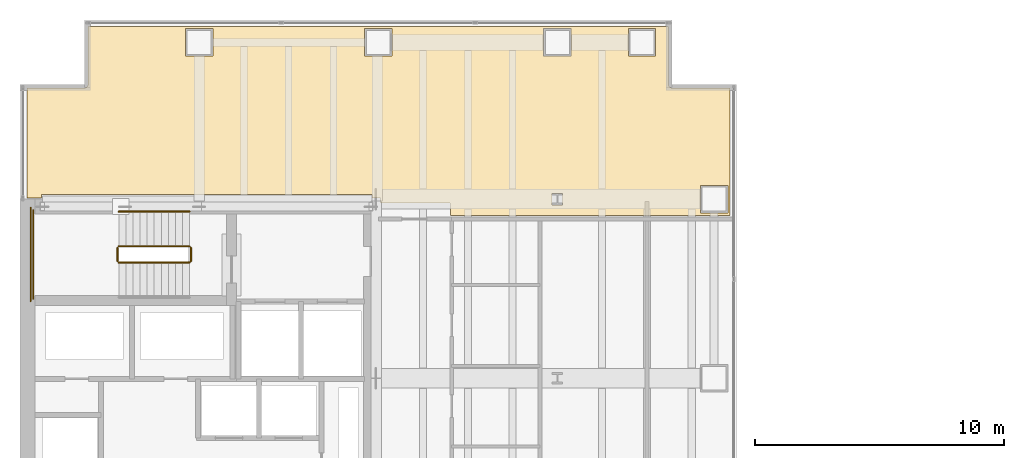
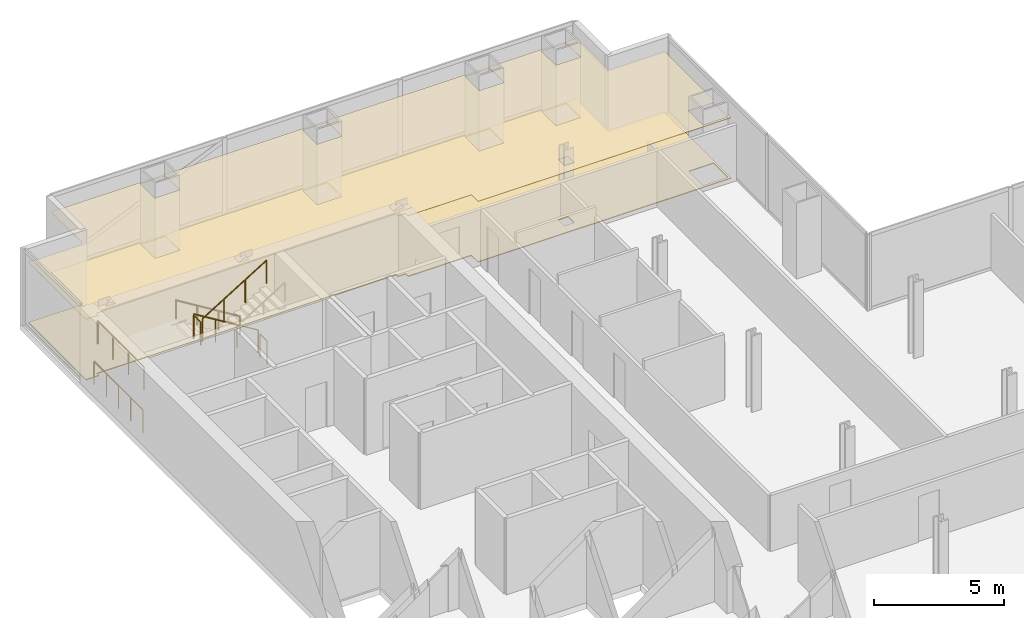
# One storey, part 24 of 24: 7 railings, 2 coverings.
"""IFC4 building model written with IfcOpenShell, lengths in metres."""

import ifcopenshell
import ifcopenshell.guid

model = None  # the IFC model being written
_history = None  # IfcOwnerHistory: only IFC2X3 demands one
_inside = {}  # id of a spatial element -> (the spatial element, [elements in it])
_under = {}  # id of a project, library or spatial element -> (it, [spatial elements below it])
_declared = {}  # id of a project -> (the project, [libraries it declares])
_typed = {}  # id of a type object -> (the type object, [elements of that type])
_made_of = {}  # id of a material, layer set ... -> (it, [elements and type objects made of it])


def new_model(schema):
    """Start an empty IFC model of exactly this schema.

    Asked for "IFC4X3", IfcOpenShell would pick the latest addendum, in which some entities
    have other attributes; the version numbers below select the first issue.
    IFC2X3 requires an IfcOwnerHistory on every rooted entity: one is made here for all.
    """
    global model, _history
    if schema == "IFC4X3":
        model = ifcopenshell.file(schema_version=(4, 3, 0, 0))
    else:
        model = ifcopenshell.file(schema=schema)
    _inside.clear()
    _under.clear()
    _declared.clear()
    _typed.clear()
    _made_of.clear()
    _history = None
    if model.schema == "IFC2X3":
        org = make("IfcOrganization", Name="unknown")
        user = make(
            "IfcPersonAndOrganization",
            ThePerson=make("IfcPerson", FamilyName="unknown"),
            TheOrganization=org,
        )
        app = make(
            "IfcApplication",
            ApplicationDeveloper=org,
            Version="unknown",
            ApplicationFullName="unknown",
            ApplicationIdentifier="unknown",
        )
        _history = make(
            "IfcOwnerHistory",
            OwningUser=user,
            OwningApplication=app,
            ChangeAction="ADDED",
            CreationDate=0,
        )
    return model


def make(cls, **values):
    """One entity of the class cls with the attributes given. An attribute that is None is left unset."""
    return model.create_entity(
        cls, **{name: value for name, value in values.items() if value is not None}
    )


def rooted(cls, **values):
    """An entity with a GlobalId (a new one), such as an element, a storey or a relation."""
    return make(cls, GlobalId=ifcopenshell.guid.new(), OwnerHistory=_history, **values)


def si_unit(unit_type, name, prefix=None):
    """IfcSIUnit, for example si_unit("LENGTHUNIT", "METRE", prefix="MILLI")."""
    return make("IfcSIUnit", UnitType=unit_type, Prefix=prefix, Name=name)


def assignment(units):
    """IfcUnitAssignment: the units of a project."""
    return None if units is None else make("IfcUnitAssignment", Units=units)


def point(xyz):
    """IfcCartesianPoint."""
    return None if xyz is None else make("IfcCartesianPoint", Coordinates=xyz)


def direction(xyz):
    """IfcDirection."""
    return None if xyz is None else make("IfcDirection", DirectionRatios=xyz)


def frame(location, z_axis=None, x_axis=None):
    """IfcAxis2Placement3D, a coordinate frame: its origin and axes. An axis left out is left unset."""
    return make(
        "IfcAxis2Placement3D",
        Location=point(location),
        Axis=direction(z_axis),
        RefDirection=direction(x_axis),
    )


def frame_2d(location, x_axis=None):
    """IfcAxis2Placement2D, a coordinate frame in the plane: its origin and x axis."""
    return make(
        "IfcAxis2Placement2D", Location=point(location), RefDirection=direction(x_axis)
    )


def origin():
    """The frame at (0, 0, 0) with its axes left unset."""
    return frame((0.0, 0.0, 0.0))


def origin_2d():
    """The frame at (0, 0) in the plane with its x axis left unset."""
    return frame_2d((0.0, 0.0))


def place(relative_to, where):
    """IfcLocalPlacement: puts the frame where relative to a parent placement (None: the world)."""
    return make(
        "IfcLocalPlacement", PlacementRelTo=relative_to, RelativePlacement=where
    )


def context(
    kind, dimensions, precision=None, world=None, true_north=None, identifier=None
):
    """IfcGeometricRepresentationContext, for example the 3D "Model" context."""
    return make(
        "IfcGeometricRepresentationContext",
        ContextIdentifier=identifier,
        ContextType=kind,
        CoordinateSpaceDimension=dimensions,
        Precision=precision,
        WorldCoordinateSystem=world,
        TrueNorth=true_north,
    )


def subcontext(parent, identifier, kind, view, scale=None):
    """IfcGeometricRepresentationSubContext, for example "Body" below "Model"."""
    return make(
        "IfcGeometricRepresentationSubContext",
        ContextIdentifier=identifier,
        ContextType=kind,
        ParentContext=parent,
        TargetScale=scale,
        TargetView=view,
    )


def project(units=None, contexts=None):
    """IfcProject with its units and contexts."""
    return rooted(
        "IfcProject",
        Name="project",
        RepresentationContexts=contexts,
        UnitsInContext=assignment(units),
    )


def spatial(cls, under=None, at=None, **own):
    """A site, building, storey or space (cls), placed at a placement, below another one or the project."""
    s = rooted(cls, ObjectPlacement=at, **own)
    if under is not None:
        _under.setdefault(under.id(), (under, []))[1].append(s)
    return s


def polyline(points):
    """IfcPolyline through the points."""
    return make("IfcPolyline", Points=[point(p) for p in points])


def profile(cls, at=None, kind="AREA", **sizes):
    """A parametric profile (cls). Its sizes go by their IFC names, for example OverallWidth=200.0."""
    return make(cls, ProfileType=kind, Position=at, **sizes)


def circle(**sizes):
    """IfcCircleProfileDef."""
    return profile("IfcCircleProfileDef", **sizes)


def outline(outer, holes=None, kind="AREA"):
    """IfcArbitraryClosedProfileDef: a profile drawn as a closed curve; with holes, ...WithVoids."""
    if holes is None:
        return make("IfcArbitraryClosedProfileDef", ProfileType=kind, OuterCurve=outer)
    return make(
        "IfcArbitraryProfileDefWithVoids",
        ProfileType=kind,
        OuterCurve=outer,
        InnerCurves=holes,
    )


def extrude(swept, where, along, depth):
    """IfcExtrudedAreaSolid: the profile swept, set in the frame where, extruded along a direction by depth."""
    return make(
        "IfcExtrudedAreaSolid",
        SweptArea=swept,
        Position=where,
        ExtrudedDirection=direction(along),
        Depth=depth,
    )


def shape(context_of_items, identifier, shape_type, items):
    """IfcShapeRepresentation: the items that make up one representation, for example the "Body"."""
    return make(
        "IfcShapeRepresentation",
        ContextOfItems=context_of_items,
        RepresentationIdentifier=identifier,
        RepresentationType=shape_type,
        Items=items,
    )


def material(Name=None, Category=None):
    """IfcMaterial."""
    return make("IfcMaterial", Name=Name, Category=Category)


def layer(
    of_material, thickness, ventilated=None, Name=None, Category=None, Priority=None
):
    """IfcMaterialLayer: one layer of a wall or slab, of a material (None: an air gap)."""
    return make(
        "IfcMaterialLayer",
        Material=of_material,
        LayerThickness=thickness,
        IsVentilated=ventilated,
        Name=Name,
        Category=Category,
        Priority=Priority,
    )


def layer_set(layers, Name=None):
    """IfcMaterialLayerSet."""
    return make("IfcMaterialLayerSet", MaterialLayers=layers, LayerSetName=Name)


def made_of(thing, what):
    """Note that an element or type object is made of a material, layer set ...; save() writes the relation."""
    if what is not None:
        _made_of.setdefault(what.id(), (what, []))[1].append(thing)
    return thing


def type_object(cls, material=None, **own):
    """A type object (cls), such as IfcWallType, which elements share."""
    return made_of(rooted(cls, **own), material)


def element(
    cls,
    number,
    at=None,
    inside=None,
    cuts=None,
    type_object=None,
    material=None,
    context=None,
    identifier="Body",
    shape_type=None,
    held_by="IfcProductDefinitionShape",
    body=None,
    shapes=None,
    **own,
):
    """One element of the class cls, such as IfcWall. Its Tag is "e" and its number.

    at: its placement. inside: the storey or other place that contains it. cuts: it is an
    opening in that element (IfcRelVoidsElement). A single representation is given by context,
    identifier, shape_type and body (its items); several are given by shapes. held_by: the class
    of the entity that holds the representations. save() writes the other relations.
    """
    e = rooted(cls, Tag="e%d" % number, ObjectPlacement=at, **own)
    if body is not None:
        shapes = [shape(context, identifier, shape_type, body)]
    if shapes is not None:
        e.Representation = make(held_by, Representations=shapes)
    if inside is not None:
        _inside.setdefault(inside.id(), (inside, []))[1].append(e)
    if cuts is not None:
        rooted(
            "IfcRelVoidsElement", RelatingBuildingElement=cuts, RelatedOpeningElement=e
        )
    if type_object is not None:
        _typed.setdefault(type_object.id(), (type_object, []))[1].append(e)
    return made_of(e, material)


def aggregate(whole, parts):
    """IfcRelAggregates: a whole, such as a stair, and the parts it consists of."""
    return rooted("IfcRelAggregates", RelatingObject=whole, RelatedObjects=parts)


def save(model, path):
    """Write the relations noted so far, then the file.

    IfcRelAggregates (storeys below a building ...), IfcRelContainedInSpatialStructure (elements
    in a storey), IfcRelDefinesByType, IfcRelAssociatesMaterial and IfcRelDeclares: one each for
    every whole, place, type object, material and project.
    """
    for whole, parts in _under.values():
        aggregate(whole, parts)
    for where, things in _inside.values():
        rooted(
            "IfcRelContainedInSpatialStructure",
            RelatedElements=things,
            RelatingStructure=where,
        )
    for kind, things in _typed.values():
        rooted("IfcRelDefinesByType", RelatedObjects=things, RelatingType=kind)
    for what, things in _made_of.values():
        rooted("IfcRelAssociatesMaterial", RelatedObjects=things, RelatingMaterial=what)
    for by, libraries in _declared.values():
        rooted("IfcRelDeclares", RelatingContext=by, RelatedDefinitions=libraries)
    model.write(path)


model = new_model("IFC4")

# Units and contexts
model_context = context("Model", 3, precision=1e-05, world=origin(), true_north=direction((0.0, 1.0)))
body_context = subcontext(model_context, "Body", "Model", "MODEL_VIEW")
ifc_project = project(units=[si_unit("LENGTHUNIT", "METRE"), si_unit("AREAUNIT", "SQUARE_METRE"), si_unit("VOLUMEUNIT", "CUBIC_METRE"), si_unit("PLANEANGLEUNIT", "RADIAN"), si_unit("MASSUNIT", "GRAM", prefix="KILO")], contexts=[model_context])

# Site, building, storey
site_placement = place(None, origin())
site = spatial("IfcSite", under=ifc_project, at=site_placement, CompositionType="ELEMENT")
building_placement = place(site_placement, origin())
building = spatial("IfcBuilding", under=site, at=building_placement, Name="Cobrela Telecom Tower", CompositionType="ELEMENT")
storey_placement = place(building_placement, frame((0.0, 0.0, 31.14990234375)))
storey = spatial("IfcBuildingStorey", under=building, at=storey_placement, Name="L07", CompositionType="ELEMENT", Elevation=31.14990234375)

# Coverings
ifc_material_1 = material(Name="Mineral Fibre Acoustic Ceiling Tile")
ifc_layer_1 = layer(ifc_material_1, 0.02490234375)
ifc_layer_set_1 = layer_set([ifc_layer_1], Name="Mineral Fibre Acoustic Ceiling Tile")
covering_type_1 = type_object("IfcCoveringType", Name="COV-CEIL-ACT", PredefinedType="CEILING", material=ifc_layer_set_1)
covering_1_placement = place(storey_placement, frame((0.0, 0.0, 2.85009765625)))
element("IfcCovering", 1, at=covering_1_placement, inside=storey, type_object=covering_type_1, Name="L07 Carrier Operations Office 1 Suspended Acoustic Ceiling", PredefinedType="CEILING", context=body_context, shape_type="SweptSolid", body=[
    extrude(outline(polyline([(14.139892578125, 36.18994140625), (0.860107421875, 36.18994140625), (0.860107421875, 36.0400390625), (0.2900390625, 36.0400390625), (0.2900390625, 40.469970703125), (2.591064453125, 40.469970703125), (2.603759765625, 40.470703125), (2.6171875, 40.47265625), (2.630615234375, 40.47607421875), (2.6435546875, 40.480712890625), (2.656005859375, 40.486572265625), (2.66796875, 40.49365234375), (2.6787109375, 40.501708984375), (2.68896484375, 40.510986328125), (2.6982421875, 40.521240234375), (2.706298828125, 40.531982421875), (2.71337890625, 40.5439453125), (2.719482421875, 40.556396484375), (2.72412109375, 40.5693359375), (2.727294921875, 40.582763671875), (2.7294921875, 40.59619140625), (2.72998046875, 40.60888671875), (2.72998046875, 42.93994140625), (26.070068359375, 42.93994140625), (26.070068359375, 40.60888671875), (26.070556640625, 40.59619140625), (26.072509765625, 40.582763671875), (26.075927734375, 40.5693359375), (26.08056640625, 40.556396484375), (26.08642578125, 40.5439453125), (26.093505859375, 40.531982421875), (26.101806640625, 40.521240234375), (26.111083984375, 40.510986328125), (26.12109375, 40.501708984375), (26.132080078125, 40.49365234375), (26.14404296875, 40.486572265625), (26.156494140625, 40.480712890625), (26.16943359375, 40.47607421875), (26.1826171875, 40.47265625), (26.1962890625, 40.470703125), (26.208984375, 40.469970703125), (28.5400390625, 40.469970703125), (28.5400390625, 35.340087890625), (17.300048828125, 35.340087890625), (17.300048828125, 35.804931640625), (17.298828125, 35.810302734375), (17.2978515625, 35.8154296875), (17.2958984375, 35.820068359375), (17.294677734375, 35.822509765625), (17.291259765625, 35.82861328125), (17.288818359375, 35.831298828125), (17.28564453125, 35.835693359375), (17.28125, 35.8388671875), (17.278564453125, 35.84130859375), (17.272705078125, 35.844482421875), (17.27001953125, 35.845703125), (17.265380859375, 35.847900390625), (17.26025390625, 35.848876953125), (17.2548828125, 35.85009765625), (14.489990234375, 35.85009765625), (14.489990234375, 36.0400390625), (14.139892578125, 36.0400390625), (14.139892578125, 36.18994140625)]), holes=[polyline([(21.81103515625, 35.767578125), (21.81103515625, 36.232421875), (21.388916015625, 36.232421875), (21.388916015625, 35.767578125), (21.81103515625, 35.767578125)]), polyline([(28.449951171875, 35.449951171875), (28.449951171875, 36.550048828125), (27.35009765625, 36.550048828125), (27.35009765625, 35.449951171875), (28.449951171875, 35.449951171875)]), polyline([(7.75, 41.75), (7.75, 42.85009765625), (6.64990234375, 42.85009765625), (6.64990234375, 41.75), (7.75, 41.75)]), polyline([(14.949951171875, 41.75), (14.949951171875, 42.85009765625), (13.85009765625, 42.85009765625), (13.85009765625, 41.75), (14.949951171875, 41.75)]), polyline([(22.14990234375, 41.75), (22.14990234375, 42.85009765625), (21.050048828125, 42.85009765625), (21.050048828125, 41.75), (22.14990234375, 41.75)]), polyline([(25.550048828125, 42.85009765625), (24.449951171875, 42.85009765625), (24.449951171875, 41.75), (25.550048828125, 41.75), (25.550048828125, 42.85009765625)])]), origin(), (0.0, 0.0, 1.0), 0.02490234375),
])
ifc_material_2 = material(Name="Honed Colombian Basalt Stone", Category="masonry")
ifc_layer_2 = layer(ifc_material_2, 0.0400390625)
ifc_layer_set_2 = layer_set([ifc_layer_2], Name="Honed Colombian Basalt Stone")
covering_type_2 = type_object("IfcCoveringType", Name="COV-FLR-STONE", PredefinedType="FLOORING", material=ifc_layer_set_2)
covering_2_placement = place(storey_placement, origin())
element("IfcCovering", 2, at=covering_2_placement, inside=storey, type_object=covering_type_2, Name="L07 Carrier Operations Office 1 Raised Technical Flooring", PredefinedType="FLOORING", context=body_context, shape_type="SweptSolid", body=[
    extrude(outline(polyline([(14.139892578125, 36.18994140625), (0.860107421875, 36.18994140625), (0.860107421875, 36.0400390625), (0.2900390625, 36.0400390625), (0.2900390625, 40.469970703125), (2.591064453125, 40.469970703125), (2.603759765625, 40.470703125), (2.6171875, 40.47265625), (2.630615234375, 40.47607421875), (2.6435546875, 40.480712890625), (2.656005859375, 40.486572265625), (2.66796875, 40.49365234375), (2.6787109375, 40.501708984375), (2.68896484375, 40.510986328125), (2.6982421875, 40.521240234375), (2.706298828125, 40.531982421875), (2.71337890625, 40.5439453125), (2.719482421875, 40.556396484375), (2.72412109375, 40.5693359375), (2.727294921875, 40.582763671875), (2.7294921875, 40.59619140625), (2.72998046875, 40.60888671875), (2.72998046875, 42.93994140625), (26.070068359375, 42.93994140625), (26.070068359375, 40.60888671875), (26.070556640625, 40.59619140625), (26.072509765625, 40.582763671875), (26.075927734375, 40.5693359375), (26.08056640625, 40.556396484375), (26.08642578125, 40.5439453125), (26.093505859375, 40.531982421875), (26.101806640625, 40.521240234375), (26.111083984375, 40.510986328125), (26.12109375, 40.501708984375), (26.132080078125, 40.49365234375), (26.14404296875, 40.486572265625), (26.156494140625, 40.480712890625), (26.16943359375, 40.47607421875), (26.1826171875, 40.47265625), (26.1962890625, 40.470703125), (26.208984375, 40.469970703125), (28.5400390625, 40.469970703125), (28.5400390625, 35.340087890625), (17.300048828125, 35.340087890625), (17.300048828125, 35.804931640625), (17.298828125, 35.810302734375), (17.2978515625, 35.8154296875), (17.2958984375, 35.820068359375), (17.294677734375, 35.822509765625), (17.291259765625, 35.82861328125), (17.288818359375, 35.831298828125), (17.28564453125, 35.835693359375), (17.28125, 35.8388671875), (17.278564453125, 35.84130859375), (17.272705078125, 35.844482421875), (17.27001953125, 35.845703125), (17.265380859375, 35.847900390625), (17.26025390625, 35.848876953125), (17.2548828125, 35.85009765625), (14.489990234375, 35.85009765625), (14.489990234375, 36.0400390625), (14.139892578125, 36.0400390625), (14.139892578125, 36.18994140625)]), holes=[polyline([(21.81103515625, 35.767578125), (21.81103515625, 36.232421875), (21.388916015625, 36.232421875), (21.388916015625, 35.767578125), (21.81103515625, 35.767578125)]), polyline([(28.449951171875, 35.449951171875), (28.449951171875, 36.550048828125), (27.35009765625, 36.550048828125), (27.35009765625, 35.449951171875), (28.449951171875, 35.449951171875)]), polyline([(7.75, 41.75), (7.75, 42.85009765625), (6.64990234375, 42.85009765625), (6.64990234375, 41.75), (7.75, 41.75)]), polyline([(14.949951171875, 41.75), (14.949951171875, 42.85009765625), (13.85009765625, 42.85009765625), (13.85009765625, 41.75), (14.949951171875, 41.75)]), polyline([(22.14990234375, 41.75), (22.14990234375, 42.85009765625), (21.050048828125, 42.85009765625), (21.050048828125, 41.75), (22.14990234375, 41.75)]), polyline([(25.550048828125, 42.85009765625), (24.449951171875, 42.85009765625), (24.449951171875, 41.75), (25.550048828125, 41.75), (25.550048828125, 42.85009765625)])]), origin(), (0.0, 0.0, 1.0), 0.0400390625),
])

# Railings
ifc_material_3 = material(Name="Steel ASTM A36", Category="steel")
railing_type_1 = type_object("IfcRailingType", Name="RAIL-GUARD-1100", PredefinedType="GUARDRAIL", material=ifc_material_3)
railing_1_placement = place(storey_placement, frame((6.820068359375, 34.10009765625, 0.175048828125)))
element("IfcRailing", 3, at=railing_1_placement, inside=storey, type_object=railing_type_1, Name="L07 ST1 stair guard 1", PredefinedType="GUARDRAIL", context=body_context, shape_type="SweptSolid", body=[
    extrude(circle(Radius=0.02392578125, at=origin_2d()), frame((0.0, 0.0, 1.076171875), z_axis=(-0.852179220489, 0.0, 0.52325001306), x_axis=(0.0, -1.0, 0.0)), (0.0, 0.0, 1.0), 3.344482421875),
    extrude(circle(Radius=0.02099609375, at=origin_2d()), origin(), (0.0, 0.0, 1.0), 1.052001953125),
    extrude(circle(Radius=0.02099609375, at=origin_2d()), frame((-0.949951171875, 0.0, 0.583251953125)), (0.0, 0.0, 1.0), 1.052001953125),
    extrude(circle(Radius=0.02099609375, at=origin_2d()), frame((-1.900146484375, 0.0, 1.166748046875)), (0.0, 0.0, 1.0), 1.052001953125),
    extrude(circle(Radius=0.02099609375, at=origin_2d()), frame((-2.85009765625, 0.0, 1.75)), (0.0, 0.0, 1.0), 1.052001953125),
])
railing_2_placement = place(storey_placement, frame((3.919921875, 34.050048828125, 1.925048828125)))
element("IfcRailing", 4, at=railing_2_placement, inside=storey, type_object=railing_type_1, Name="L07 ST1 stair guard 2", PredefinedType="GUARDRAIL", context=body_context, shape_type="SweptSolid", body=[
    extrude(circle(Radius=0.02392578125, at=origin_2d()), frame((0.0, 0.0, 1.076171875), z_axis=(0.0, -1.0, 0.0), x_axis=(1.0, 0.0, 0.0)), (0.0, 0.0, 1.0), 0.550048828125),
    extrude(circle(Radius=0.02099609375, at=origin_2d()), origin(), (0.0, 0.0, 1.0), 1.052001953125),
    extrude(circle(Radius=0.02099609375, at=origin_2d()), frame((0.0, -0.550048828125, 0.0)), (0.0, 0.0, 1.0), 1.052001953125),
])
railing_3_placement = place(storey_placement, frame((0.530029296875, 35.550048828125, 1.925048828125)))
element("IfcRailing", 5, at=railing_3_placement, inside=storey, type_object=railing_type_1, Name="L07 ST1 stair guard 3", PredefinedType="GUARDRAIL", context=body_context, shape_type="SweptSolid", body=[
    extrude(circle(Radius=0.02392578125, at=origin_2d()), frame((0.0, 0.0, 1.076171875), z_axis=(0.0, -1.0, 0.0), x_axis=(1.0, 0.0, 0.0)), (0.0, 0.0, 1.0), 3.550048828125),
    extrude(circle(Radius=0.02099609375, at=origin_2d()), origin(), (0.0, 0.0, 1.0), 1.052001953125),
    extrude(circle(Radius=0.02099609375, at=origin_2d()), frame((0.0, -1.183349609375, 0.0)), (0.0, 0.0, 1.0), 1.052001953125),
    extrude(circle(Radius=0.02099609375, at=origin_2d()), frame((0.0, -2.36669921875, 0.0)), (0.0, 0.0, 1.0), 1.052001953125),
    extrude(circle(Radius=0.02099609375, at=origin_2d()), frame((0.0, -3.550048828125, 0.0)), (0.0, 0.0, 1.0), 1.052001953125),
])
railing_4_placement = place(storey_placement, frame((3.969970703125, 33.449951171875, 2.10009765625)))
element("IfcRailing", 6, at=railing_4_placement, inside=storey, type_object=railing_type_1, Name="L07 ST1 stair guard 4", PredefinedType="GUARDRAIL", context=body_context, shape_type="SweptSolid", body=[
    extrude(circle(Radius=0.02392578125, at=origin_2d()), frame((0.0, 0.0, 1.076171875), z_axis=(0.852179220489, 0.0, 0.52325001306), x_axis=(0.0, 1.0, 0.0)), (0.0, 0.0, 1.0), 3.344482421875),
    extrude(circle(Radius=0.02099609375, at=origin_2d()), origin(), (0.0, 0.0, 1.0), 1.052001953125),
    extrude(circle(Radius=0.02099609375, at=origin_2d()), frame((0.949951171875, 0.0, 0.583251953125)), (0.0, 0.0, 1.0), 1.052001953125),
    extrude(circle(Radius=0.02099609375, at=origin_2d()), frame((1.900146484375, 0.0, 1.166748046875)), (0.0, 0.0, 1.0), 1.052001953125),
    extrude(circle(Radius=0.02099609375, at=origin_2d()), frame((2.85009765625, 0.0, 1.75)), (0.0, 0.0, 1.0), 1.052001953125),
])
railing_5_placement = place(storey_placement, frame((6.8701171875, 34.050048828125, 0.0)))
element("IfcRailing", 7, at=railing_5_placement, inside=storey, type_object=railing_type_1, Name="L07 ST1 stair guard 5", PredefinedType="GUARDRAIL", context=body_context, shape_type="SweptSolid", body=[
    extrude(circle(Radius=0.02392578125, at=origin_2d()), frame((0.0, 0.0, 1.076171875), z_axis=(0.0, -1.0, 0.0), x_axis=(1.0, 0.0, 0.0)), (0.0, 0.0, 1.0), 0.550048828125),
    extrude(circle(Radius=0.02099609375, at=origin_2d()), origin(), (0.0, 0.0, 1.0), 1.052001953125),
    extrude(circle(Radius=0.02099609375, at=origin_2d()), frame((0.0, -0.550048828125, 0.0)), (0.0, 0.0, 1.0), 1.052001953125),
])
railing_6_placement = place(storey_placement, frame((0.429931640625, 35.64990234375, 0.0)))
element("IfcRailing", 8, at=railing_6_placement, inside=storey, type_object=railing_type_1, Name="L07 ST1 stair guard 6", PredefinedType="GUARDRAIL", context=body_context, shape_type="SweptSolid", body=[
    extrude(circle(Radius=0.02392578125, at=origin_2d()), frame((0.0, 0.0, 1.076171875), z_axis=(0.0, -1.0, 0.0), x_axis=(1.0, 0.0, 0.0)), (0.0, 0.0, 1.0), 3.75),
    extrude(circle(Radius=0.02099609375, at=origin_2d()), origin(), (0.0, 0.0, 1.0), 1.052001953125),
    extrude(circle(Radius=0.02099609375, at=origin_2d()), frame((0.0, -0.9375, 0.0)), (0.0, 0.0, 1.0), 1.052001953125),
    extrude(circle(Radius=0.02099609375, at=origin_2d()), frame((0.0, -1.875, 0.0)), (0.0, 0.0, 1.0), 1.052001953125),
    extrude(circle(Radius=0.02099609375, at=origin_2d()), frame((0.0, -2.8125, 0.0)), (0.0, 0.0, 1.0), 1.052001953125),
    extrude(circle(Radius=0.02099609375, at=origin_2d()), frame((0.0, -3.75, 0.0)), (0.0, 0.0, 1.0), 1.052001953125),
])
railing_type_2 = type_object("IfcRailingType", Name="RAIL-HAND-920", PredefinedType="HANDRAIL", material=ifc_material_3)
railing_7_placement = place(storey_placement, frame((6.820068359375, 35.5, 0.175048828125)))
element("IfcRailing", 9, at=railing_7_placement, inside=storey, type_object=railing_type_2, Name="L07 ST1 stair handrail 1", PredefinedType="HANDRAIL", context=body_context, shape_type="SweptSolid", body=[
    extrude(circle(Radius=0.02392578125, at=origin_2d()), frame((0.0, 0.0, 0.8759765625), z_axis=(-0.852179220489, 0.0, 0.52325001306), x_axis=(0.0, -1.0, 0.0)), (0.0, 0.0, 1.0), 3.344482421875),
    extrude(circle(Radius=0.02099609375, at=origin_2d()), origin(), (0.0, 0.0, 1.0), 0.851806640625),
    extrude(circle(Radius=0.02099609375, at=origin_2d()), frame((-0.949951171875, 0.0, 0.583251953125)), (0.0, 0.0, 1.0), 0.851806640625),
    extrude(circle(Radius=0.02099609375, at=origin_2d()), frame((-1.900146484375, 0.0, 1.166748046875)), (0.0, 0.0, 1.0), 0.851806640625),
    extrude(circle(Radius=0.02099609375, at=origin_2d()), frame((-2.85009765625, 0.0, 1.75)), (0.0, 0.0, 1.0), 0.851806640625),
])

save(model, "model.ifc")
